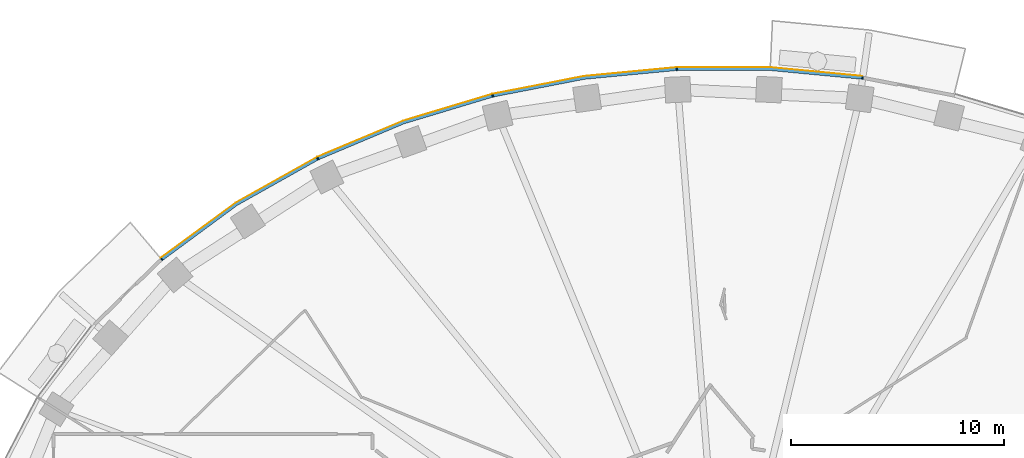
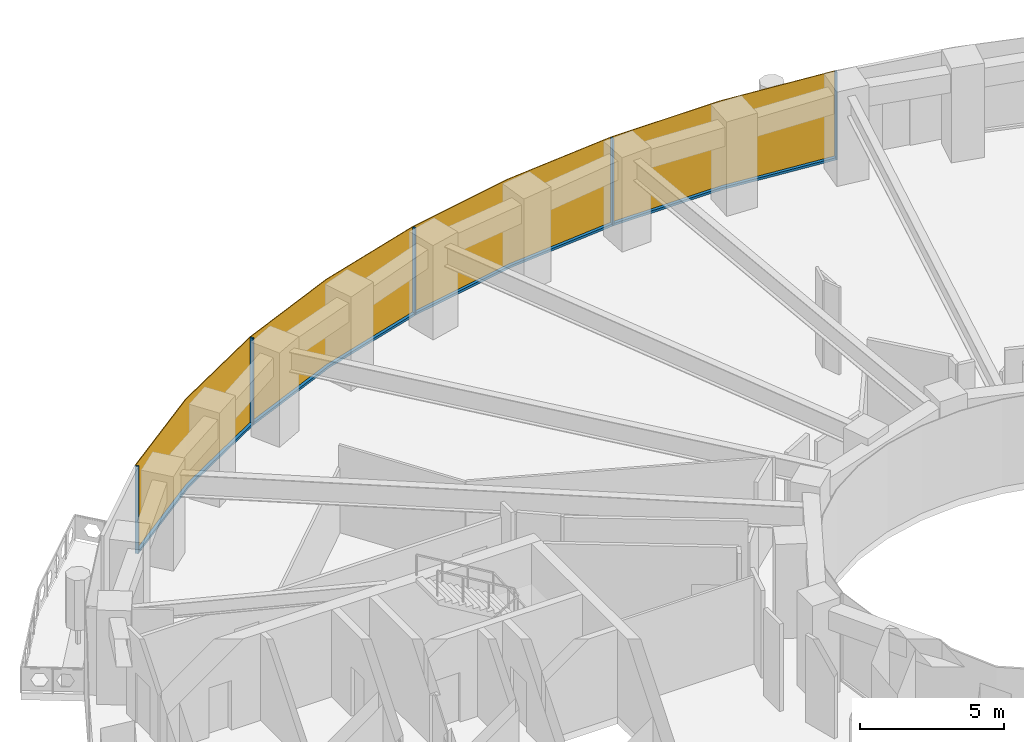
# One storey, part 11 of 16: 9 members, 1 curtain wall.
"""IFC4 building model written with IfcOpenShell, lengths in metres."""

from ifc_helpers import new_model, si_unit, direction, frame, origin, origin_2d, place, context, subcontext, project, spatial, polyline, rectangle, outline, extrude, material, layer, layer_set, material_profile, profile_set, type_object, element, aggregate, save


model = new_model("IFC4")

# Units and contexts
model_context = context("Model", 3, precision=1e-05, world=origin(), true_north=direction((0.0, 1.0)))
body_context = subcontext(model_context, "Body", "Model", "MODEL_VIEW")
ifc_project = project(units=[si_unit("LENGTHUNIT", "METRE"), si_unit("AREAUNIT", "SQUARE_METRE"), si_unit("VOLUMEUNIT", "CUBIC_METRE"), si_unit("PLANEANGLEUNIT", "RADIAN"), si_unit("MASSUNIT", "GRAM", prefix="KILO")], contexts=[model_context])

# Member
ifc_material_1 = material(Name="Aluminium 6063-T6 black anodised", Category="aluminium")
ifc_material_profile = material_profile(ifc_material_1, rectangle(XDim=0.1201171875, YDim=0.06005859375, at=origin_2d()), Name="120x60")
ifc_profile_set = profile_set([ifc_material_profile], Name="Aluminium 6063-T6 black anodised")
member_type_1 = type_object("IfcMemberType", Name="ENV-MULLION-A-120", PredefinedType="MULLION", material=ifc_profile_set)
site_placement = place(None, origin())
building_placement = place(site_placement, origin())
storey_placement = place(building_placement, frame((0.0, 0.0, 166.0)))
member_1_placement = place(storey_placement, frame((6.54638671875, 27.440185546875, 0.0), z_axis=(0.0, 0.0, 1.0), x_axis=(-0.143082012705, -0.989710835366, 0.0)))
member_1 = element("IfcMember", 1, at=member_1_placement, type_object=member_type_1, Name="Mullion A radial 11", PredefinedType="MULLION", context=body_context, shape_type="SweptSolid", body=[
    extrude(rectangle(XDim=0.1201171875, YDim=0.06005859375, at=origin_2d()), origin(), (0.0, 0.0, 1.0), 3.699951171875),
])

member_2_placement = place(storey_placement, frame((-2.188720703125, 27.856201171875, 0.0), z_axis=(0.0, 0.0, 1.0), x_axis=(0.047557873581, -0.998868484166, 0.0)))
member_2 = element("IfcMember", 2, at=member_2_placement, type_object=member_type_1, Name="Mullion A radial 13", PredefinedType="MULLION", context=body_context, shape_type="SweptSolid", body=[
    extrude(rectangle(XDim=0.1201171875, YDim=0.06005859375, at=origin_2d()), origin(), (0.0, 0.0, 1.0), 3.699951171875),
])

member_3_placement = place(storey_placement, frame((-10.84326171875, 26.60498046875, 0.0), z_axis=(0.0, 0.0, 1.0), x_axis=(0.239799081534, -0.970822538106, 0.0)))
member_3 = element("IfcMember", 3, at=member_3_placement, type_object=member_type_1, Name="Mullion A radial 15", PredefinedType="MULLION", context=body_context, shape_type="SweptSolid", body=[
    extrude(rectangle(XDim=0.1201171875, YDim=0.06005859375, at=origin_2d()), origin(), (0.0, 0.0, 1.0), 3.699951171875),
])

member_4_placement = place(storey_placement, frame((-19.06787109375, 23.6474609375, 0.0), z_axis=(0.0, 0.0, 1.0), x_axis=(0.439237769837, -0.898370848563, 0.0)))
member_4 = element("IfcMember", 4, at=member_4_placement, type_object=member_type_1, Name="Mullion A radial 17", PredefinedType="MULLION", context=body_context, shape_type="SweptSolid", body=[
    extrude(rectangle(XDim=0.1201171875, YDim=0.06005859375, at=origin_2d()), origin(), (0.0, 0.0, 1.0), 3.699951171875),
])

member_5_placement = place(storey_placement, frame((-26.403564453125, 18.9130859375, 0.0), z_axis=(0.0, 0.0, 1.0), x_axis=(0.646451313783, -0.762955240435, 0.0)))
member_5 = element("IfcMember", 5, at=member_5_placement, type_object=member_type_1, Name="Mullion A radial 19", PredefinedType="MULLION", context=body_context, shape_type="SweptSolid", body=[
    extrude(rectangle(XDim=0.1201171875, YDim=0.06005859375, at=origin_2d()), origin(), (0.0, 0.0, 1.0), 3.699951171875),
])

ifc_material_2 = material(Name="Aluminium 6063-T6 black anodised", Category="aluminium")
member_type_2 = type_object("IfcMemberType", Name="ENV-TRANSOM-A", PredefinedType="USERDEFINED", material=ifc_material_2)
member_6_placement = place(storey_placement, origin())
member_6 = element("IfcMember", 6, at=member_6_placement, type_object=member_type_2, Name="Transom A radial 11-13", ObjectType="TRANSOM", PredefinedType="USERDEFINED", context=body_context, shape_type="SweptSolid", body=[
    extrude(outline(polyline([(6.527099609375, 27.502197265625), (2.191650390625, 27.916015625), (-2.163818359375, 27.916015625), (-2.157958984375, 27.7958984375), (2.185791015625, 27.7958984375), (6.510009765625, 27.38330078125), (6.527099609375, 27.502197265625)])), origin(), (0.0, 0.0, 1.0), 0.10009765625),
])

member_7_placement = place(storey_placement, origin())
member_7 = element("IfcMember", 7, at=member_7_placement, type_object=member_type_2, Name="Transom A radial 13-15", ObjectType="TRANSOM", PredefinedType="USERDEFINED", context=body_context, shape_type="SweptSolid", body=[
    extrude(outline(polyline([(-2.219482421875, 27.913330078125), (-6.55517578125, 27.49951171875), (-10.830078125, 26.66845703125), (-10.80126953125, 26.552001953125), (-6.537841796875, 27.380615234375), (-2.2138671875, 27.793212890625), (-2.219482421875, 27.913330078125)])), origin(), (0.0, 0.0, 1.0), 0.10009765625),
])

member_8_placement = place(storey_placement, origin())
member_8 = element("IfcMember", 8, at=member_8_placement, type_object=member_type_2, Name="Transom A radial 15-17", ObjectType="TRANSOM", PredefinedType="USERDEFINED", context=body_context, shape_type="SweptSolid", body=[
    extrude(outline(polyline([(-10.884521484375, 26.655029296875), (-15.054443359375, 25.400146484375), (-19.068359375, 23.71240234375), (-19.015380859375, 23.604248046875), (-15.013916015625, 25.287109375), (-10.855712890625, 26.53857421875), (-10.884521484375, 26.655029296875)])), origin(), (0.0, 0.0, 1.0), 0.10009765625),
])

member_9_placement = place(storey_placement, origin())
member_9 = element("IfcMember", 9, at=member_9_placement, type_object=member_type_2, Name="Transom A radial 17-19", ObjectType="TRANSOM", PredefinedType="USERDEFINED", context=body_context, shape_type="SweptSolid", body=[
    extrude(outline(polyline([(-19.11865234375, 23.687744140625), (-22.9150390625, 21.556884765625), (-26.419921875, 18.975341796875), (-26.342041015625, 18.883544921875), (-22.85009765625, 21.455810546875), (-19.06591796875, 23.57958984375), (-19.11865234375, 23.687744140625)])), origin(), (0.0, 0.0, 1.0), 0.10009765625),
])

# Site, building, storey
site = spatial("IfcSite", under=ifc_project, at=site_placement, CompositionType="ELEMENT")
building = spatial("IfcBuilding", under=site, at=building_placement, Name="Noorbagh Ring Tower", CompositionType="ELEMENT")
storey = spatial("IfcBuildingStorey", under=building, at=storey_placement, Name="L38", CompositionType="ELEMENT", Elevation=166.0)

# Curtain wall
ifc_material_3 = material(Name="Glass dark tinted laminated", Category="glass")
ifc_layer = layer(ifc_material_3, 0.031982421875)
ifc_layer_set = layer_set([ifc_layer], Name="Glass dark tinted laminated")
curtain_wall_type = type_object("IfcCurtainWallType", Name="ENV-CW-A", PredefinedType="NOTDEFINED", material=ifc_layer_set)
curtain_wall_placement = place(storey_placement, origin())
curtain_wall = element("IfcCurtainWall", 10, at=curtain_wall_placement, inside=storey, type_object=curtain_wall_type, Name="Curtain wall A R11", PredefinedType="NOTDEFINED", context=body_context, shape_type="SweptSolid", body=[
    extrude(outline(polyline([(6.539794921875, 27.533203125), (2.193115234375, 27.947998046875), (-2.193115234375, 27.947998046875), (-6.559814453125, 27.53125), (-10.865234375, 26.6943359375), (-15.065185546875, 25.430419921875), (-19.108154296875, 23.730224609375), (-22.9326171875, 21.583740234375), (-26.447021484375, 18.9951171875), (-26.42626953125, 18.970703125), (-22.9150390625, 21.556884765625), (-19.093994140625, 23.701416015625), (-15.054443359375, 25.400146484375), (-10.857666015625, 26.6630859375), (-6.55517578125, 27.49951171875), (-2.191650390625, 27.916015625), (2.191650390625, 27.916015625), (6.53515625, 27.50146484375), (6.539794921875, 27.533203125)])), origin(), (0.0, 0.0, 1.0), 3.699951171875),
])

aggregate(curtain_wall, [member_1, member_2, member_3, member_4, member_5, member_6, member_7, member_8, member_9])

save(model, "model.ifc")
